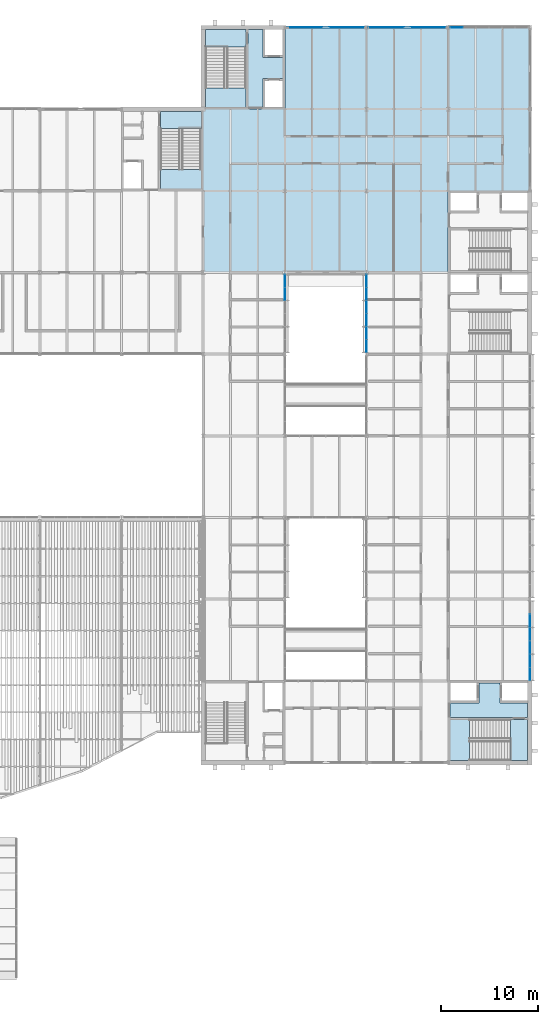
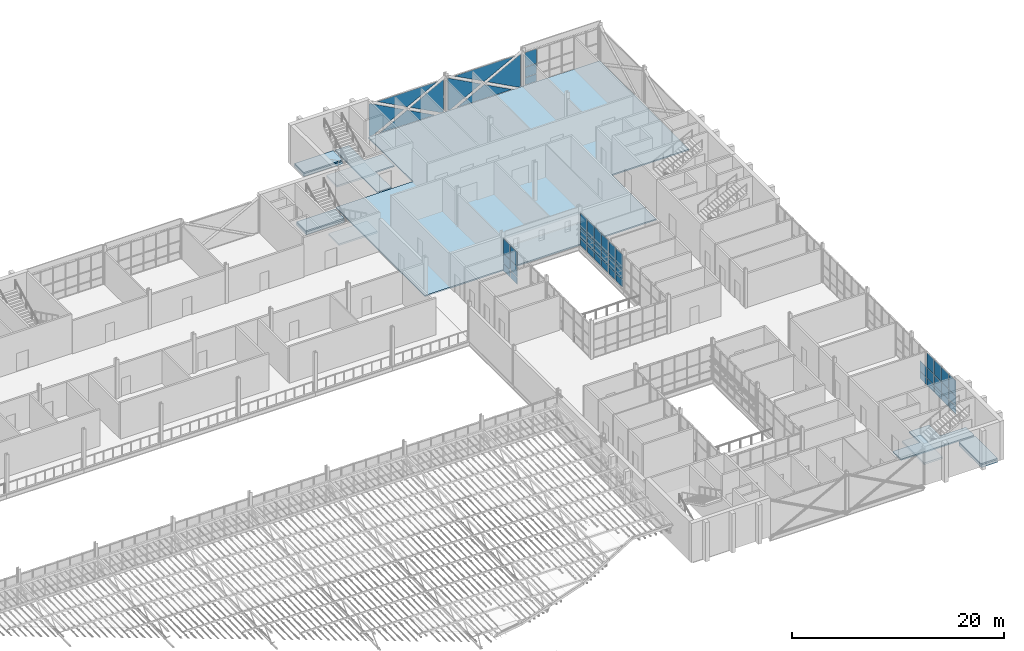
# One storey, part 79 of 129: 49 plates, 12 slabs, 9 elements without a shape of their own.
"""IFC4 building model written with IfcOpenShell, lengths in metres."""

from ifc_helpers import new_model, si_unit, direction, frame, origin, origin_2d, place, context, subcontext, project, spatial, polyline, rectangle, outline, extrude, material, layer, layer_set, type_object, element, aggregate, save


model = new_model("IFC4")

# Units and contexts
model_context = context("Model", 3, precision=1e-05, world=origin(), true_north=direction((0.0, 1.0)))
body_context = subcontext(model_context, "Body", "Model", "MODEL_VIEW")
ifc_project = project(units=[si_unit("LENGTHUNIT", "METRE"), si_unit("AREAUNIT", "SQUARE_METRE"), si_unit("VOLUMEUNIT", "CUBIC_METRE"), si_unit("PLANEANGLEUNIT", "RADIAN"), si_unit("MASSUNIT", "GRAM", prefix="KILO")], contexts=[model_context])

# Site, building, storey
site_placement = place(None, origin())
site = spatial("IfcSite", under=ifc_project, at=site_placement, CompositionType="ELEMENT")
building_placement = place(site_placement, origin())
building = spatial("IfcBuilding", under=site, at=building_placement, Name="Ardhachandra Cancer Care Centre", CompositionType="ELEMENT")
storey_placement = place(building_placement, frame((0.0, 0.0, 4.5)))
storey = spatial("IfcBuildingStorey", under=building, at=storey_placement, Name="L01", CompositionType="ELEMENT", Elevation=4.5)

# Slabs
ifc_material_1 = material(Name="Composite slab Concrete M30 on steel deck", Category="concrete")
ifc_layer_1 = layer(ifc_material_1, 0.14990234375)
ifc_layer_set_1 = layer_set([ifc_layer_1], Name="Composite slab Concrete M30 on steel deck")
slab_type_1 = type_object("IfcSlabType", Name="Composite floor slab 150", PredefinedType="FLOOR", material=ifc_layer_set_1)
slab_1_placement = place(storey_placement, frame((0.0, 0.0, -0.14990234375)))
element("IfcSlab", 1, at=slab_1_placement, inside=storey, type_object=slab_type_1, Name="Floor slab V5", PredefinedType="FLOOR", context=body_context, shape_type="SweptSolid", body=[
    extrude(outline(polyline([(120.0, 105.0), (120.0, 96.60009765625), (111.60009765625, 96.60009765625), (111.60009765625, 88.199951171875), (111.60009765625, 79.800048828125), (120.0, 79.800048828125), (128.39990234375, 79.800048828125), (136.800048828125, 79.800048828125), (136.800048828125, 88.199951171875), (145.199951171875, 88.199951171875), (145.199951171875, 105.0), (120.0, 105.0)])), origin(), (0.0, 0.0, 1.0), 0.14990234375),
])
ifc_material_2 = material(Name="Concrete M40", Category="concrete")
ifc_layer_2 = layer(ifc_material_2, 0.14990234375)
ifc_layer_set_2 = layer_set([ifc_layer_2], Name="Concrete M40")
slab_type_2 = type_object("IfcSlabType", Name="Core floor slab 150", PredefinedType="FLOOR", material=ifc_layer_set_2)
slab_2_placement = place(storey_placement, frame((0.0, 0.0, -0.14990234375)))
element("IfcSlab", 2, at=slab_2_placement, inside=storey, type_object=slab_type_2, Name="Core floor slab K7 L01 1", PredefinedType="FLOOR", context=body_context, shape_type="SweptSolid", body=[
    extrude(outline(polyline([(111.39990234375, 96.375), (107.199951171875, 96.375), (107.199951171875, 94.60009765625), (111.39990234375, 94.60009765625), (111.39990234375, 96.375)])), origin(), (0.0, 0.0, 1.0), 0.14990234375),
])
slab_3_placement = place(storey_placement, frame((0.0, 0.0, -0.14990234375)))
element("IfcSlab", 3, at=slab_3_placement, inside=storey, type_object=slab_type_2, Name="Core floor slab K9 L01 1", PredefinedType="FLOOR", context=body_context, shape_type="SweptSolid", body=[
    extrude(outline(polyline([(144.97509765625, 29.625), (144.97509765625, 33.824951171875), (143.199951171875, 33.824951171875), (143.199951171875, 29.625), (144.97509765625, 29.625)])), origin(), (0.0, 0.0, 1.0), 0.14990234375),
])
slab_4_placement = place(storey_placement, frame((0.0, 0.0, -0.14990234375)))
element("IfcSlab", 4, at=slab_4_placement, inside=storey, type_object=slab_type_2, Name="Core floor slab K9 L01 2", PredefinedType="FLOOR", context=body_context, shape_type="SweptSolid", body=[
    extrude(outline(polyline([(139.949951171875, 37.60009765625), (139.949951171875, 35.75), (139.949951171875, 35.550048828125), (137.0, 35.550048828125), (137.0, 34.02490234375), (144.97509765625, 34.02490234375), (144.97509765625, 35.550048828125), (142.125, 35.550048828125), (142.125, 35.75), (142.125, 37.60009765625), (139.949951171875, 37.60009765625)])), origin(), (0.0, 0.0, 1.0), 0.14990234375),
])
slab_5_placement = place(storey_placement, frame((0.0, 0.0, -0.14990234375)))
element("IfcSlab", 5, at=slab_5_placement, inside=storey, type_object=slab_type_2, Name="Core floor slab K12 L01 1", PredefinedType="FLOOR", context=body_context, shape_type="SweptSolid", body=[
    extrude(outline(polyline([(111.824951171875, 104.77490234375), (116.02490234375, 104.77490234375), (116.02490234375, 103.0), (111.824951171875, 103.0), (111.824951171875, 104.77490234375)])), origin(), (0.0, 0.0, 1.0), 0.14990234375),
])
slab_6_placement = place(storey_placement, frame((0.0, 0.0, -0.14990234375)))
element("IfcSlab", 6, at=slab_6_placement, inside=storey, type_object=slab_type_2, Name="Core floor slab K12 L01 2", PredefinedType="FLOOR", context=body_context, shape_type="SweptSolid", body=[
    extrude(outline(polyline([(119.800048828125, 99.75), (117.949951171875, 99.75), (117.75, 99.75), (117.75, 96.800048828125), (116.22509765625, 96.800048828125), (116.22509765625, 104.77490234375), (117.75, 104.77490234375), (117.75, 101.925048828125), (117.949951171875, 101.925048828125), (119.800048828125, 101.925048828125), (119.800048828125, 99.75)])), origin(), (0.0, 0.0, 1.0), 0.14990234375),
])
ifc_material_3 = material(Name="Concrete M40", Category="concrete")
ifc_layer_3 = layer(ifc_material_3, 0.300048828125)
ifc_layer_set_3 = layer_set([ifc_layer_3], Name="Concrete M40")
slab_type_3 = type_object("IfcSlabType", Name="Core stair edge slab 300", PredefinedType="FLOOR", material=ifc_layer_set_3)
slab_7_placement = place(storey_placement, frame((0.0, 0.0, -0.449951171875)))
element("IfcSlab", 7, at=slab_7_placement, inside=storey, type_object=slab_type_3, Name="Core stair edge slab K7 L01", PredefinedType="FLOOR", context=body_context, shape_type="SweptSolid", body=[
    extrude(outline(polyline([(111.39990234375, 94.60009765625), (107.199951171875, 94.60009765625), (107.199951171875, 96.375), (111.39990234375, 96.375), (111.39990234375, 94.60009765625)])), origin(), (0.0, 0.0, 1.0), 0.300048828125),
])
slab_8_placement = place(storey_placement, frame((0.0, 0.0, -0.449951171875)))
element("IfcSlab", 8, at=slab_8_placement, inside=storey, type_object=slab_type_3, Name="Core stair edge slab K9 L01", PredefinedType="FLOOR", context=body_context, shape_type="SweptSolid", body=[
    extrude(outline(polyline([(143.199951171875, 29.625), (143.199951171875, 33.824951171875), (144.97509765625, 33.824951171875), (144.97509765625, 29.625), (143.199951171875, 29.625)])), origin(), (0.0, 0.0, 1.0), 0.300048828125),
])
slab_9_placement = place(storey_placement, frame((0.0, 0.0, -0.449951171875)))
element("IfcSlab", 9, at=slab_9_placement, inside=storey, type_object=slab_type_3, Name="Core stair edge slab K12 L01", PredefinedType="FLOOR", context=body_context, shape_type="SweptSolid", body=[
    extrude(outline(polyline([(111.824951171875, 103.0), (116.02490234375, 103.0), (116.02490234375, 104.77490234375), (111.824951171875, 104.77490234375), (111.824951171875, 103.0)])), origin(), (0.0, 0.0, 1.0), 0.300048828125),
])

# Curtain wall, plates
ifc_material_4 = material(Name="Aluminium extrusion", Category="aluminium")
ifc_layer_4 = layer(ifc_material_4, 0.14990234375)
ifc_layer_set_4 = layer_set([ifc_layer_4], Name="Aluminium extrusion")
curtain_wall_type = type_object("IfcCurtainWallType", Name="Curtain wall run", PredefinedType="NOTDEFINED", material=ifc_layer_set_4)
curtain_wall_1_placement = place(storey_placement, origin())
curtain_wall_1 = element("IfcCurtainWall", 10, at=curtain_wall_1_placement, inside=storey, type_object=curtain_wall_type, Name="Curtain wall L01 e/0145200_0037800", PredefinedType="NOTDEFINED")
ifc_material_5 = material(Name="Low-iron double-glazed unit")
ifc_layer_5 = layer(ifc_material_5, 0.028076171875)
ifc_layer_set_5 = layer_set([ifc_layer_5], Name="Low-iron double-glazed unit")
plate_type_1 = type_object("IfcPlateType", Name="Curtain wall glazing 28", PredefinedType="CURTAIN_PANEL", material=ifc_layer_set_5)
plate_1_placement = place(storey_placement, frame((145.199951171875, 38.5029296875, 0.93017578125), z_axis=(0.0, 0.0, 1.0), x_axis=(0.0, 1.0, 0.0)))
plate_1 = element("IfcPlate", 11, at=plate_1_placement, type_object=plate_type_1, Name="CW panel 1.2", PredefinedType="CURTAIN_PANEL", context=body_context, shape_type="SweptSolid", body=[
    extrude(rectangle(XDim=1.285888671875, YDim=0.028076171875, at=origin_2d()), origin(), (0.0, 0.0, 1.0), 1.139892578125),
])
plate_2_placement = place(storey_placement, frame((145.199951171875, 38.5029296875, 2.1298828125), z_axis=(0.0, 0.0, 1.0), x_axis=(0.0, 1.0, 0.0)))
plate_2 = element("IfcPlate", 12, at=plate_2_placement, type_object=plate_type_1, Name="CW panel 1.3", PredefinedType="CURTAIN_PANEL", context=body_context, shape_type="SweptSolid", body=[
    extrude(rectangle(XDim=1.285888671875, YDim=0.028076171875, at=origin_2d()), origin(), (0.0, 0.0, 1.0), 1.696044921875),
])
plate_3_placement = place(storey_placement, frame((145.199951171875, 39.86376953125, 0.93017578125), z_axis=(0.0, 0.0, 1.0), x_axis=(0.0, 1.0, 0.0)))
plate_3 = element("IfcPlate", 13, at=plate_3_placement, type_object=plate_type_1, Name="CW panel 2.2", PredefinedType="CURTAIN_PANEL", context=body_context, shape_type="SweptSolid", body=[
    extrude(rectangle(XDim=1.31591796875, YDim=0.028076171875, at=origin_2d()), origin(), (0.0, 0.0, 1.0), 1.139892578125),
])
plate_4_placement = place(storey_placement, frame((145.199951171875, 39.86376953125, 2.1298828125), z_axis=(0.0, 0.0, 1.0), x_axis=(0.0, 1.0, 0.0)))
plate_4 = element("IfcPlate", 14, at=plate_4_placement, type_object=plate_type_1, Name="CW panel 2.3", PredefinedType="CURTAIN_PANEL", context=body_context, shape_type="SweptSolid", body=[
    extrude(rectangle(XDim=1.31591796875, YDim=0.028076171875, at=origin_2d()), origin(), (0.0, 0.0, 1.0), 1.696044921875),
])
plate_5_placement = place(storey_placement, frame((145.199951171875, 41.239501953125, 0.93017578125), z_axis=(0.0, 0.0, 1.0), x_axis=(0.0, 1.0, 0.0)))
plate_5 = element("IfcPlate", 15, at=plate_5_placement, type_object=plate_type_1, Name="CW panel 3.2", PredefinedType="CURTAIN_PANEL", context=body_context, shape_type="SweptSolid", body=[
    extrude(rectangle(XDim=1.31591796875, YDim=0.028076171875, at=origin_2d()), origin(), (0.0, 0.0, 1.0), 1.139892578125),
])
plate_6_placement = place(storey_placement, frame((145.199951171875, 41.239501953125, 2.1298828125), z_axis=(0.0, 0.0, 1.0), x_axis=(0.0, 1.0, 0.0)))
plate_6 = element("IfcPlate", 16, at=plate_6_placement, type_object=plate_type_1, Name="CW panel 3.3", PredefinedType="CURTAIN_PANEL", context=body_context, shape_type="SweptSolid", body=[
    extrude(rectangle(XDim=1.31591796875, YDim=0.028076171875, at=origin_2d()), origin(), (0.0, 0.0, 1.0), 1.696044921875),
])
plate_7_placement = place(storey_placement, frame((145.199951171875, 42.615478515625, 0.93017578125), z_axis=(0.0, 0.0, 1.0), x_axis=(0.0, 1.0, 0.0)))
plate_7 = element("IfcPlate", 17, at=plate_7_placement, type_object=plate_type_1, Name="CW panel 4.2", PredefinedType="CURTAIN_PANEL", context=body_context, shape_type="SweptSolid", body=[
    extrude(rectangle(XDim=1.31591796875, YDim=0.028076171875, at=origin_2d()), origin(), (0.0, 0.0, 1.0), 1.139892578125),
])
plate_8_placement = place(storey_placement, frame((145.199951171875, 42.615478515625, 2.1298828125), z_axis=(0.0, 0.0, 1.0), x_axis=(0.0, 1.0, 0.0)))
plate_8 = element("IfcPlate", 18, at=plate_8_placement, type_object=plate_type_1, Name="CW panel 4.3", PredefinedType="CURTAIN_PANEL", context=body_context, shape_type="SweptSolid", body=[
    extrude(rectangle(XDim=1.31591796875, YDim=0.028076171875, at=origin_2d()), origin(), (0.0, 0.0, 1.0), 1.696044921875),
])
plate_9_placement = place(storey_placement, frame((145.199951171875, 43.9912109375, 0.93017578125), z_axis=(0.0, 0.0, 1.0), x_axis=(0.0, 1.0, 0.0)))
plate_9 = element("IfcPlate", 19, at=plate_9_placement, type_object=plate_type_1, Name="CW panel 5.2", PredefinedType="CURTAIN_PANEL", context=body_context, shape_type="SweptSolid", body=[
    extrude(rectangle(XDim=1.31591796875, YDim=0.028076171875, at=origin_2d()), origin(), (0.0, 0.0, 1.0), 1.139892578125),
])

curtain_wall_2_placement = place(storey_placement, origin())
curtain_wall_2 = element("IfcCurtainWall", 20, at=curtain_wall_2_placement, inside=storey, type_object=curtain_wall_type, Name="Curtain wall L01 e/0120000_0071400", PredefinedType="NOTDEFINED")
plate_10_placement = place(storey_placement, frame((120.0, 77.594970703125, 0.93017578125), z_axis=(0.0, 0.0, 1.0), x_axis=(0.0, 1.0, 0.0)))
plate_10 = element("IfcPlate", 21, at=plate_10_placement, type_object=plate_type_1, Name="CW panel 5.2", PredefinedType="CURTAIN_PANEL", context=body_context, shape_type="SweptSolid", body=[
    extrude(rectangle(XDim=1.283447265625, YDim=0.028076171875, at=origin_2d()), origin(), (0.0, 0.0, 1.0), 1.139892578125),
])
plate_11_placement = place(storey_placement, frame((120.0, 77.594970703125, 2.1298828125), z_axis=(0.0, 0.0, 1.0), x_axis=(0.0, 1.0, 0.0)))
plate_11 = element("IfcPlate", 22, at=plate_11_placement, type_object=plate_type_1, Name="CW panel 5.3", PredefinedType="CURTAIN_PANEL", context=body_context, shape_type="SweptSolid", body=[
    extrude(rectangle(XDim=1.283447265625, YDim=0.028076171875, at=origin_2d()), origin(), (0.0, 0.0, 1.0), 1.659912109375),
])
plate_12_placement = place(storey_placement, frame((120.0, 78.92333984375, 0.93017578125), z_axis=(0.0, 0.0, 1.0), x_axis=(0.0, 1.0, 0.0)))
plate_12 = element("IfcPlate", 23, at=plate_12_placement, type_object=plate_type_1, Name="CW panel 6.2", PredefinedType="CURTAIN_PANEL", context=body_context, shape_type="SweptSolid", body=[
    extrude(rectangle(XDim=1.25341796875, YDim=0.028076171875, at=origin_2d()), origin(), (0.0, 0.0, 1.0), 1.139892578125),
])
plate_13_placement = place(storey_placement, frame((120.0, 78.92333984375, 2.1298828125), z_axis=(0.0, 0.0, 1.0), x_axis=(0.0, 1.0, 0.0)))
plate_13 = element("IfcPlate", 24, at=plate_13_placement, type_object=plate_type_1, Name="CW panel 6.3", PredefinedType="CURTAIN_PANEL", context=body_context, shape_type="SweptSolid", body=[
    extrude(rectangle(XDim=1.25341796875, YDim=0.028076171875, at=origin_2d()), origin(), (0.0, 0.0, 1.0), 1.659912109375),
])

curtain_wall_3_placement = place(storey_placement, origin())
curtain_wall_3 = element("IfcCurtainWall", 25, at=curtain_wall_3_placement, inside=storey, type_object=curtain_wall_type, Name="Curtain wall L01 n/0120000_0105000", PredefinedType="NOTDEFINED")
plate_14_placement = place(storey_placement, frame((128.154541015625, 105.0, 0.06005859375), z_axis=(0.0, 1.0, 0.0), x_axis=(-1.0, 0.0, 0.0)))
plate_14 = element("IfcPlate", 26, at=plate_14_placement, type_object=plate_type_1, Name="CW panel 1.1", PredefinedType="CURTAIN_PANEL", context=body_context, shape_type="SweptSolid", body=[
    extrude(outline(polyline([(0.0, 0.0), (0.26806640625, 0.0), (3.609375, 1.7900390625), (0.0, 3.7236328125), (0.0, 0.0)])), origin(), (0.0, 0.0, 1.0), 0.028076171875),
])
plate_15_placement = place(storey_placement, frame((127.476318359375, 105.0, 3.7900390625), z_axis=(0.0, 1.0, 0.0), x_axis=(-0.881487781758, 0.0, -0.472206830332)))
plate_15 = element("IfcPlate", 27, at=plate_15_placement, type_object=plate_type_1, Name="CW panel 1.1", PredefinedType="CURTAIN_PANEL", context=body_context, shape_type="SweptSolid", body=[
    extrude(outline(polyline([(0.0, 0.0), (3.716796875, 0.0), (5.77587890625, 3.09423828125), (0.0, 0.0)])), frame((0.0, 0.0, -0.028076171875)), (0.0, 0.0, 1.0), 0.028076171875),
])
plate_16_placement = place(storey_placement, frame((120.06005859375, 105.0, 0.06005859375), z_axis=(0.0, 1.0, 0.0), x_axis=(0.0, 0.0, 1.0)))
plate_16 = element("IfcPlate", 28, at=plate_16_placement, type_object=plate_type_1, Name="CW panel 1.1", PredefinedType="CURTAIN_PANEL", context=body_context, shape_type="SweptSolid", body=[
    extrude(outline(polyline([(0.0, 0.0), (3.72998046875, 0.0), (3.72998046875, 0.173583984375), (1.7900390625, 3.794921875), (0.0, 0.45361328125), (0.0, 0.0)])), origin(), (0.0, 0.0, 1.0), 0.028076171875),
])
plate_17_placement = place(storey_placement, frame((121.203857421875, 105.0, 0.06005859375), z_axis=(0.0, 1.0, 0.0), x_axis=(0.88148851251, 0.0, 0.472205466203)))
plate_17 = element("IfcPlate", 29, at=plate_17_placement, type_object=plate_type_1, Name="CW panel 1.1", PredefinedType="CURTAIN_PANEL", context=body_context, shape_type="SweptSolid", body=[
    extrude(outline(polyline([(0.0, 0.0), (3.39892578125, 0.0), (5.2822265625, 2.82958984375), (0.0, 0.0)])), frame((0.0, 0.0, -0.028076171875)), (0.0, 0.0, 1.0), 0.028076171875),
])
aggregate(curtain_wall_3, [plate_14, plate_15, plate_16, plate_17])

curtain_wall_4_placement = place(storey_placement, origin())
curtain_wall_4 = element("IfcCurtainWall", 30, at=curtain_wall_4_placement, inside=storey, type_object=curtain_wall_type, Name="Curtain wall L01 n/0128400_0105000", PredefinedType="NOTDEFINED")
plate_18_placement = place(storey_placement, frame((136.554443359375, 105.0, 0.06005859375), z_axis=(0.0, 1.0, 0.0), x_axis=(-1.0, 0.0, 0.0)))
plate_18 = element("IfcPlate", 31, at=plate_18_placement, type_object=plate_type_1, Name="CW panel 1.1", PredefinedType="CURTAIN_PANEL", context=body_context, shape_type="SweptSolid", body=[
    extrude(outline(polyline([(0.0, 0.0), (0.26806640625, 0.0), (3.609375, 1.7900390625), (0.0, 3.7236328125), (0.0, 0.0)])), origin(), (0.0, 0.0, 1.0), 0.028076171875),
])
plate_19_placement = place(storey_placement, frame((135.876220703125, 105.0, 3.7900390625), z_axis=(0.0, 1.0, 0.0), x_axis=(-0.881473134172, 0.0, -0.472234172559)))
plate_19 = element("IfcPlate", 32, at=plate_19_placement, type_object=plate_type_1, Name="CW panel 1.1", PredefinedType="CURTAIN_PANEL", context=body_context, shape_type="SweptSolid", body=[
    extrude(outline(polyline([(0.0, 0.0), (3.716552734375, 0.0), (5.77587890625, 3.09423828125), (0.0, 0.0)])), frame((0.0, 0.0, -0.028076171875)), (0.0, 0.0, 1.0), 0.028076171875),
])
plate_20_placement = place(storey_placement, frame((128.6455078125, 105.0, 0.06005859375), z_axis=(0.0, 1.0, 0.0), x_axis=(0.0, 0.0, 1.0)))
plate_20 = element("IfcPlate", 33, at=plate_20_placement, type_object=plate_type_1, Name="CW panel 1.1", PredefinedType="CURTAIN_PANEL", context=body_context, shape_type="SweptSolid", body=[
    extrude(outline(polyline([(0.0, 0.0), (3.7236328125, 0.0), (1.7900390625, 3.609375), (0.0, 0.26806640625), (0.0, 0.0)])), origin(), (0.0, 0.0, 1.0), 0.028076171875),
])
plate_21_placement = place(storey_placement, frame((129.603759765625, 105.0, 0.06005859375), z_axis=(0.0, 1.0, 0.0), x_axis=(0.881504527331, 0.0, 0.472175569354)))
plate_21 = element("IfcPlate", 34, at=plate_21_placement, type_object=plate_type_1, Name="CW panel 1.1", PredefinedType="CURTAIN_PANEL", context=body_context, shape_type="SweptSolid", body=[
    extrude(outline(polyline([(0.0, 0.0), (3.399169921875, 0.0), (5.282470703125, 2.82958984375), (0.0, 0.0)])), frame((0.0, 0.0, -0.028076171875)), (0.0, 0.0, 1.0), 0.028076171875),
])
aggregate(curtain_wall_4, [plate_18, plate_19, plate_20, plate_21])

curtain_wall_5_placement = place(storey_placement, origin())
curtain_wall_5 = element("IfcCurtainWall", 35, at=curtain_wall_5_placement, inside=storey, type_object=curtain_wall_type, Name="Curtain wall L01 n/0136800_0105000", PredefinedType="NOTDEFINED")
plate_22_placement = place(storey_placement, frame((137.669677734375, 105.0, 0.93017578125), z_axis=(0.0, 0.0, 1.0), x_axis=(1.0, 0.0, 0.0)))
plate_22 = element("IfcPlate", 36, at=plate_22_placement, type_object=plate_type_1, Name="CW panel 1.2", PredefinedType="CURTAIN_PANEL", context=body_context, shape_type="SweptSolid", body=[
    extrude(rectangle(XDim=1.248046875, YDim=0.028076171875, at=origin_2d()), origin(), (0.0, 0.0, 1.0), 1.139892578125),
])
plate_23_placement = place(storey_placement, frame((137.669677734375, 105.0, 2.1298828125), z_axis=(0.0, 0.0, 1.0), x_axis=(1.0, 0.0, 0.0)))
plate_23 = element("IfcPlate", 37, at=plate_23_placement, type_object=plate_type_1, Name="CW panel 1.3", PredefinedType="CURTAIN_PANEL", context=body_context, shape_type="SweptSolid", body=[
    extrude(rectangle(XDim=1.248046875, YDim=0.028076171875, at=origin_2d()), origin(), (0.0, 0.0, 1.0), 1.659912109375),
])

curtain_wall_6_placement = place(storey_placement, origin())
curtain_wall_6 = element("IfcCurtainWall", 38, at=curtain_wall_6_placement, inside=storey, type_object=curtain_wall_type, Name="Curtain wall L01 w/0128400_0071400", PredefinedType="NOTDEFINED")
plate_24_placement = place(storey_placement, frame((128.39990234375, 72.236572265625, 0.93017578125), z_axis=(0.0, 0.0, 1.0), x_axis=(0.0, 1.0, 0.0)))
plate_24 = element("IfcPlate", 39, at=plate_24_placement, type_object=plate_type_1, Name="CW panel 1.2", PredefinedType="CURTAIN_PANEL", context=body_context, shape_type="SweptSolid", body=[
    extrude(rectangle(XDim=1.25341796875, YDim=0.028076171875, at=origin_2d()), origin(), (0.0, 0.0, 1.0), 1.139892578125),
])
plate_25_placement = place(storey_placement, frame((128.39990234375, 72.236572265625, 2.1298828125), z_axis=(0.0, 0.0, 1.0), x_axis=(0.0, 1.0, 0.0)))
plate_25 = element("IfcPlate", 40, at=plate_25_placement, type_object=plate_type_1, Name="CW panel 1.3", PredefinedType="CURTAIN_PANEL", context=body_context, shape_type="SweptSolid", body=[
    extrude(rectangle(XDim=1.25341796875, YDim=0.028076171875, at=origin_2d()), origin(), (0.0, 0.0, 1.0), 1.659912109375),
])
plate_26_placement = place(storey_placement, frame((128.39990234375, 73.56494140625, 0.93017578125), z_axis=(0.0, 0.0, 1.0), x_axis=(0.0, 1.0, 0.0)))
plate_26 = element("IfcPlate", 41, at=plate_26_placement, type_object=plate_type_1, Name="CW panel 2.2", PredefinedType="CURTAIN_PANEL", context=body_context, shape_type="SweptSolid", body=[
    extrude(rectangle(XDim=1.283447265625, YDim=0.028076171875, at=origin_2d()), origin(), (0.0, 0.0, 1.0), 1.139892578125),
])
plate_27_placement = place(storey_placement, frame((128.39990234375, 73.56494140625, 2.1298828125), z_axis=(0.0, 0.0, 1.0), x_axis=(0.0, 1.0, 0.0)))
plate_27 = element("IfcPlate", 42, at=plate_27_placement, type_object=plate_type_1, Name="CW panel 2.3", PredefinedType="CURTAIN_PANEL", context=body_context, shape_type="SweptSolid", body=[
    extrude(rectangle(XDim=1.283447265625, YDim=0.028076171875, at=origin_2d()), origin(), (0.0, 0.0, 1.0), 1.659912109375),
])

# Plate
ifc_material_6 = material(Name="Aluminium composite spandrel panel", Category="aluminium")
ifc_layer_6 = layer(ifc_material_6, 0.028076171875)
ifc_layer_set_6 = layer_set([ifc_layer_6], Name="Aluminium composite spandrel panel")
plate_type_2 = type_object("IfcPlateType", Name="Curtain wall spandrel panel 28", PredefinedType="CURTAIN_PANEL", material=ifc_layer_set_6)
plate_28_placement = place(storey_placement, frame((145.199951171875, 38.5029296875, 0.06005859375), z_axis=(0.0, 0.0, 1.0), x_axis=(0.0, 1.0, 0.0)))
plate_28 = element("IfcPlate", 43, at=plate_28_placement, type_object=plate_type_2, Name="CW panel 1.1", PredefinedType="CURTAIN_PANEL", context=body_context, shape_type="SweptSolid", body=[
    extrude(rectangle(XDim=1.285888671875, YDim=0.028076171875, at=origin_2d()), origin(), (0.0, 0.0, 1.0), 0.81005859375),
])

plate_29_placement = place(storey_placement, frame((145.199951171875, 39.86376953125, 0.06005859375), z_axis=(0.0, 0.0, 1.0), x_axis=(0.0, 1.0, 0.0)))
plate_29 = element("IfcPlate", 44, at=plate_29_placement, type_object=plate_type_2, Name="CW panel 2.1", PredefinedType="CURTAIN_PANEL", context=body_context, shape_type="SweptSolid", body=[
    extrude(rectangle(XDim=1.31591796875, YDim=0.028076171875, at=origin_2d()), origin(), (0.0, 0.0, 1.0), 0.81005859375),
])

plate_30_placement = place(storey_placement, frame((145.199951171875, 41.239501953125, 0.06005859375), z_axis=(0.0, 0.0, 1.0), x_axis=(0.0, 1.0, 0.0)))
plate_30 = element("IfcPlate", 45, at=plate_30_placement, type_object=plate_type_2, Name="CW panel 3.1", PredefinedType="CURTAIN_PANEL", context=body_context, shape_type="SweptSolid", body=[
    extrude(rectangle(XDim=1.31591796875, YDim=0.028076171875, at=origin_2d()), origin(), (0.0, 0.0, 1.0), 0.81005859375),
])

plate_31_placement = place(storey_placement, frame((145.199951171875, 42.615478515625, 0.06005859375), z_axis=(0.0, 0.0, 1.0), x_axis=(0.0, 1.0, 0.0)))
plate_31 = element("IfcPlate", 46, at=plate_31_placement, type_object=plate_type_2, Name="CW panel 4.1", PredefinedType="CURTAIN_PANEL", context=body_context, shape_type="SweptSolid", body=[
    extrude(rectangle(XDim=1.31591796875, YDim=0.028076171875, at=origin_2d()), origin(), (0.0, 0.0, 1.0), 0.81005859375),
])

plate_32_placement = place(storey_placement, frame((145.199951171875, 43.9912109375, 0.06005859375), z_axis=(0.0, 0.0, 1.0), x_axis=(0.0, 1.0, 0.0)))
plate_32 = element("IfcPlate", 47, at=plate_32_placement, type_object=plate_type_2, Name="CW panel 5.1", PredefinedType="CURTAIN_PANEL", context=body_context, shape_type="SweptSolid", body=[
    extrude(rectangle(XDim=1.31591796875, YDim=0.028076171875, at=origin_2d()), origin(), (0.0, 0.0, 1.0), 0.81005859375),
])

aggregate(curtain_wall_1, [plate_28, plate_1, plate_2, plate_29, plate_3, plate_4, plate_30, plate_5, plate_6, plate_31, plate_7, plate_8, plate_32, plate_9])

plate_33_placement = place(storey_placement, frame((120.0, 77.594970703125, 0.06005859375), z_axis=(0.0, 0.0, 1.0), x_axis=(0.0, 1.0, 0.0)))
plate_33 = element("IfcPlate", 48, at=plate_33_placement, type_object=plate_type_2, Name="CW panel 5.1", PredefinedType="CURTAIN_PANEL", context=body_context, shape_type="SweptSolid", body=[
    extrude(rectangle(XDim=1.283447265625, YDim=0.028076171875, at=origin_2d()), origin(), (0.0, 0.0, 1.0), 0.81005859375),
])

plate_34_placement = place(storey_placement, frame((120.0, 78.92333984375, 0.06005859375), z_axis=(0.0, 0.0, 1.0), x_axis=(0.0, 1.0, 0.0)))
plate_34 = element("IfcPlate", 49, at=plate_34_placement, type_object=plate_type_2, Name="CW panel 6.1", PredefinedType="CURTAIN_PANEL", context=body_context, shape_type="SweptSolid", body=[
    extrude(rectangle(XDim=1.25341796875, YDim=0.028076171875, at=origin_2d()), origin(), (0.0, 0.0, 1.0), 0.81005859375),
])

aggregate(curtain_wall_2, [plate_33, plate_10, plate_11, plate_34, plate_12, plate_13])

plate_35_placement = place(storey_placement, frame((137.669677734375, 105.0, 0.06005859375), z_axis=(0.0, 0.0, 1.0), x_axis=(1.0, 0.0, 0.0)))
plate_35 = element("IfcPlate", 50, at=plate_35_placement, type_object=plate_type_2, Name="CW panel 1.1", PredefinedType="CURTAIN_PANEL", context=body_context, shape_type="SweptSolid", body=[
    extrude(rectangle(XDim=1.248046875, YDim=0.028076171875, at=origin_2d()), origin(), (0.0, 0.0, 1.0), 0.81005859375),
])

aggregate(curtain_wall_5, [plate_35, plate_22, plate_23])

plate_36_placement = place(storey_placement, frame((128.39990234375, 72.236572265625, 0.06005859375), z_axis=(0.0, 0.0, 1.0), x_axis=(0.0, 1.0, 0.0)))
plate_36 = element("IfcPlate", 51, at=plate_36_placement, type_object=plate_type_2, Name="CW panel 1.1", PredefinedType="CURTAIN_PANEL", context=body_context, shape_type="SweptSolid", body=[
    extrude(rectangle(XDim=1.25341796875, YDim=0.028076171875, at=origin_2d()), origin(), (0.0, 0.0, 1.0), 0.81005859375),
])

plate_37_placement = place(storey_placement, frame((128.39990234375, 73.56494140625, 0.06005859375), z_axis=(0.0, 0.0, 1.0), x_axis=(0.0, 1.0, 0.0)))
plate_37 = element("IfcPlate", 52, at=plate_37_placement, type_object=plate_type_2, Name="CW panel 2.1", PredefinedType="CURTAIN_PANEL", context=body_context, shape_type="SweptSolid", body=[
    extrude(rectangle(XDim=1.283447265625, YDim=0.028076171875, at=origin_2d()), origin(), (0.0, 0.0, 1.0), 0.81005859375),
])

plate_38_placement = place(storey_placement, frame((128.39990234375, 74.908447265625, 0.06005859375), z_axis=(0.0, 0.0, 1.0), x_axis=(0.0, 1.0, 0.0)))
plate_38 = element("IfcPlate", 53, at=plate_38_placement, type_object=plate_type_2, Name="CW panel 3.1", PredefinedType="CURTAIN_PANEL", context=body_context, shape_type="SweptSolid", body=[
    extrude(rectangle(XDim=1.283447265625, YDim=0.028076171875, at=origin_2d()), origin(), (0.0, 0.0, 1.0), 0.81005859375),
])

plate_39_placement = place(storey_placement, frame((128.39990234375, 74.908447265625, 0.93017578125), z_axis=(0.0, 0.0, 1.0), x_axis=(0.0, 1.0, 0.0)))
plate_39 = element("IfcPlate", 54, at=plate_39_placement, type_object=plate_type_2, Name="CW panel 3.2", PredefinedType="CURTAIN_PANEL", context=body_context, shape_type="SweptSolid", body=[
    extrude(rectangle(XDim=1.283447265625, YDim=0.028076171875, at=origin_2d()), origin(), (0.0, 0.0, 1.0), 1.139892578125),
])

plate_40_placement = place(storey_placement, frame((128.39990234375, 74.908447265625, 2.1298828125), z_axis=(0.0, 0.0, 1.0), x_axis=(0.0, 1.0, 0.0)))
plate_40 = element("IfcPlate", 55, at=plate_40_placement, type_object=plate_type_2, Name="CW panel 3.3", PredefinedType="CURTAIN_PANEL", context=body_context, shape_type="SweptSolid", body=[
    extrude(rectangle(XDim=1.283447265625, YDim=0.028076171875, at=origin_2d()), origin(), (0.0, 0.0, 1.0), 1.659912109375),
])

plate_41_placement = place(storey_placement, frame((128.39990234375, 76.251708984375, 0.06005859375), z_axis=(0.0, 0.0, 1.0), x_axis=(0.0, 1.0, 0.0)))
plate_41 = element("IfcPlate", 56, at=plate_41_placement, type_object=plate_type_2, Name="CW panel 4.1", PredefinedType="CURTAIN_PANEL", context=body_context, shape_type="SweptSolid", body=[
    extrude(rectangle(XDim=1.283447265625, YDim=0.028076171875, at=origin_2d()), origin(), (0.0, 0.0, 1.0), 0.81005859375),
])

plate_42_placement = place(storey_placement, frame((128.39990234375, 76.251708984375, 0.93017578125), z_axis=(0.0, 0.0, 1.0), x_axis=(0.0, 1.0, 0.0)))
plate_42 = element("IfcPlate", 57, at=plate_42_placement, type_object=plate_type_2, Name="CW panel 4.2", PredefinedType="CURTAIN_PANEL", context=body_context, shape_type="SweptSolid", body=[
    extrude(rectangle(XDim=1.283447265625, YDim=0.028076171875, at=origin_2d()), origin(), (0.0, 0.0, 1.0), 1.139892578125),
])

plate_43_placement = place(storey_placement, frame((128.39990234375, 76.251708984375, 2.1298828125), z_axis=(0.0, 0.0, 1.0), x_axis=(0.0, 1.0, 0.0)))
plate_43 = element("IfcPlate", 58, at=plate_43_placement, type_object=plate_type_2, Name="CW panel 4.3", PredefinedType="CURTAIN_PANEL", context=body_context, shape_type="SweptSolid", body=[
    extrude(rectangle(XDim=1.283447265625, YDim=0.028076171875, at=origin_2d()), origin(), (0.0, 0.0, 1.0), 1.659912109375),
])

plate_44_placement = place(storey_placement, frame((128.39990234375, 77.594970703125, 0.06005859375), z_axis=(0.0, 0.0, 1.0), x_axis=(0.0, 1.0, 0.0)))
plate_44 = element("IfcPlate", 59, at=plate_44_placement, type_object=plate_type_2, Name="CW panel 5.1", PredefinedType="CURTAIN_PANEL", context=body_context, shape_type="SweptSolid", body=[
    extrude(rectangle(XDim=1.283447265625, YDim=0.028076171875, at=origin_2d()), origin(), (0.0, 0.0, 1.0), 0.81005859375),
])

plate_45_placement = place(storey_placement, frame((128.39990234375, 77.594970703125, 0.93017578125), z_axis=(0.0, 0.0, 1.0), x_axis=(0.0, 1.0, 0.0)))
plate_45 = element("IfcPlate", 60, at=plate_45_placement, type_object=plate_type_2, Name="CW panel 5.2", PredefinedType="CURTAIN_PANEL", context=body_context, shape_type="SweptSolid", body=[
    extrude(rectangle(XDim=1.283447265625, YDim=0.028076171875, at=origin_2d()), origin(), (0.0, 0.0, 1.0), 1.139892578125),
])

plate_46_placement = place(storey_placement, frame((128.39990234375, 77.594970703125, 2.1298828125), z_axis=(0.0, 0.0, 1.0), x_axis=(0.0, 1.0, 0.0)))
plate_46 = element("IfcPlate", 61, at=plate_46_placement, type_object=plate_type_2, Name="CW panel 5.3", PredefinedType="CURTAIN_PANEL", context=body_context, shape_type="SweptSolid", body=[
    extrude(rectangle(XDim=1.283447265625, YDim=0.028076171875, at=origin_2d()), origin(), (0.0, 0.0, 1.0), 1.659912109375),
])

plate_47_placement = place(storey_placement, frame((128.39990234375, 78.92333984375, 0.06005859375), z_axis=(0.0, 0.0, 1.0), x_axis=(0.0, 1.0, 0.0)))
plate_47 = element("IfcPlate", 62, at=plate_47_placement, type_object=plate_type_2, Name="CW panel 6.1", PredefinedType="CURTAIN_PANEL", context=body_context, shape_type="SweptSolid", body=[
    extrude(rectangle(XDim=1.25341796875, YDim=0.028076171875, at=origin_2d()), origin(), (0.0, 0.0, 1.0), 0.81005859375),
])

plate_48_placement = place(storey_placement, frame((128.39990234375, 78.92333984375, 0.93017578125), z_axis=(0.0, 0.0, 1.0), x_axis=(0.0, 1.0, 0.0)))
plate_48 = element("IfcPlate", 63, at=plate_48_placement, type_object=plate_type_2, Name="CW panel 6.2", PredefinedType="CURTAIN_PANEL", context=body_context, shape_type="SweptSolid", body=[
    extrude(rectangle(XDim=1.25341796875, YDim=0.028076171875, at=origin_2d()), origin(), (0.0, 0.0, 1.0), 1.139892578125),
])

plate_49_placement = place(storey_placement, frame((128.39990234375, 78.92333984375, 2.1298828125), z_axis=(0.0, 0.0, 1.0), x_axis=(0.0, 1.0, 0.0)))
plate_49 = element("IfcPlate", 64, at=plate_49_placement, type_object=plate_type_2, Name="CW panel 6.3", PredefinedType="CURTAIN_PANEL", context=body_context, shape_type="SweptSolid", body=[
    extrude(rectangle(XDim=1.25341796875, YDim=0.028076171875, at=origin_2d()), origin(), (0.0, 0.0, 1.0), 1.659912109375),
])

aggregate(curtain_wall_6, [plate_36, plate_24, plate_25, plate_37, plate_26, plate_27, plate_38, plate_39, plate_40, plate_41, plate_42, plate_43, plate_44, plate_45, plate_46, plate_47, plate_48, plate_49])

# Stair, slab
ifc_material_7 = material(Name="Concrete M40", Category="concrete")
stair_type = type_object("IfcStairType", Name="Dog-leg stair 2000", PredefinedType="HALF_TURN_STAIR", material=ifc_material_7)
stair_1_placement = place(storey_placement, origin())
stair_1 = element("IfcStair", 65, at=stair_1_placement, inside=storey, type_object=stair_type, Name="Stair K7 L01-L02", PredefinedType="HALF_TURN_STAIR")
ifc_material_8 = material(Name="Concrete M40", Category="concrete")
ifc_layer_7 = layer(ifc_material_8, 0.199951171875)
ifc_layer_set_7 = layer_set([ifc_layer_7], Name="Concrete M40")
slab_type_4 = type_object("IfcSlabType", Name="Stair landing 200", PredefinedType="LANDING", material=ifc_layer_set_7)
slab_10_placement = place(storey_placement, frame((0.0, 0.0, 2.050048828125)))
slab_10 = element("IfcSlab", 66, at=slab_10_placement, type_object=slab_type_4, Name="stair K7 L01-L02 landing 1", PredefinedType="LANDING", context=body_context, shape_type="SweptSolid", body=[
    extrude(outline(polyline([(107.199951171875, 88.39990234375), (111.39990234375, 88.39990234375), (111.39990234375, 90.39990234375), (107.199951171875, 90.39990234375), (107.199951171875, 88.39990234375)])), origin(), (0.0, 0.0, 1.0), 0.199951171875),
])
aggregate(stair_1, [slab_10])

stair_2_placement = place(storey_placement, origin())
stair_2 = element("IfcStair", 67, at=stair_2_placement, inside=storey, type_object=stair_type, Name="Stair K9 L01-L02", PredefinedType="HALF_TURN_STAIR")
slab_11_placement = place(storey_placement, frame((0.0, 0.0, 2.050048828125)))
slab_11 = element("IfcSlab", 68, at=slab_11_placement, type_object=slab_type_4, Name="stair K9 L01-L02 landing 1", PredefinedType="LANDING", context=body_context, shape_type="SweptSolid", body=[
    extrude(outline(polyline([(137.0, 29.625), (139.0, 29.625), (139.0, 33.824951171875), (137.0, 33.824951171875), (137.0, 29.625)])), origin(), (0.0, 0.0, 1.0), 0.199951171875),
])
aggregate(stair_2, [slab_11])

stair_3_placement = place(storey_placement, origin())
stair_3 = element("IfcStair", 69, at=stair_3_placement, inside=storey, type_object=stair_type, Name="Stair K12 L01-L02", PredefinedType="HALF_TURN_STAIR")
slab_12_placement = place(storey_placement, frame((0.0, 0.0, 2.050048828125)))
slab_12 = element("IfcSlab", 70, at=slab_12_placement, type_object=slab_type_4, Name="stair K12 L01-L02 landing 1", PredefinedType="LANDING", context=body_context, shape_type="SweptSolid", body=[
    extrude(outline(polyline([(111.824951171875, 96.800048828125), (116.02490234375, 96.800048828125), (116.02490234375, 98.800048828125), (111.824951171875, 98.800048828125), (111.824951171875, 96.800048828125)])), origin(), (0.0, 0.0, 1.0), 0.199951171875),
])
aggregate(stair_3, [slab_12])

save(model, "model.ifc")
